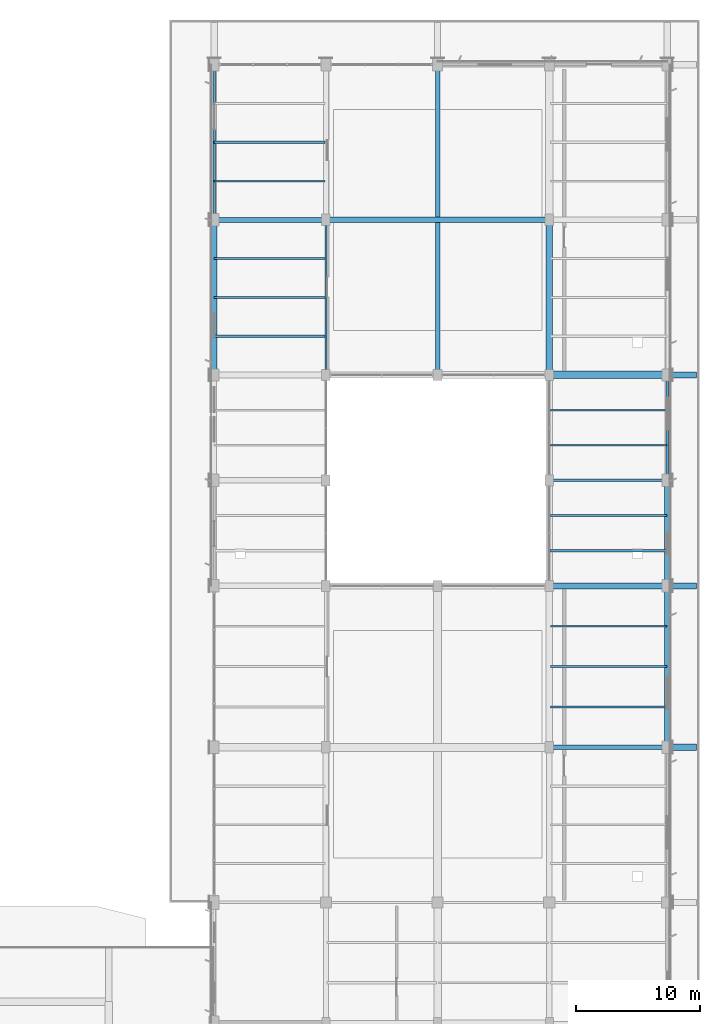
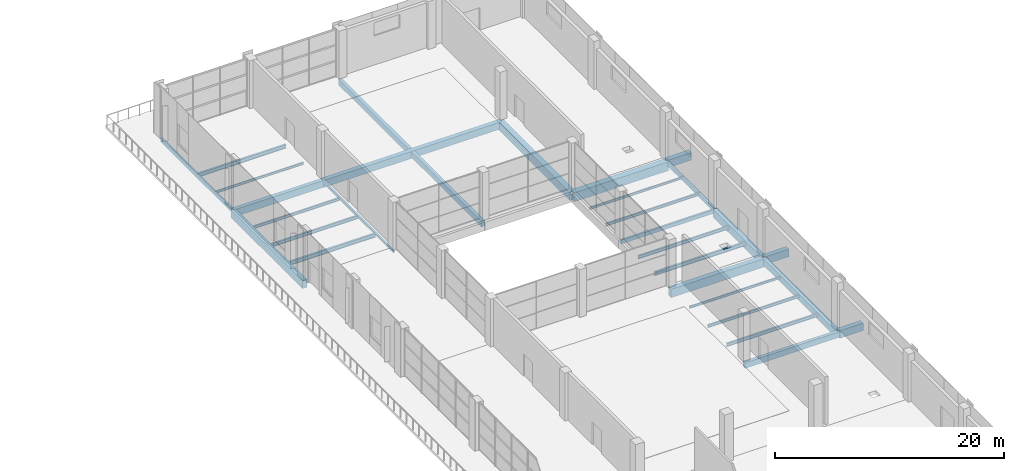
# One storey, part 55 of 90: 29 beams.
"""IFC4 building model written with IfcOpenShell, lengths in metres."""

from ifc_helpers import new_model, si_unit, direction, frame, origin, origin_2d, place, context, subcontext, project, spatial, rectangle, hollow_rectangle, i_section, extrude, material, material_profile, profile_set, type_object, element, save


model = new_model("IFC4")

# Units and contexts
model_context = context("Model", 3, precision=1e-05, world=origin(), true_north=direction((0.0, 1.0)))
body_context = subcontext(model_context, "Body", "Model", "MODEL_VIEW")
ifc_project = project(units=[si_unit("LENGTHUNIT", "METRE"), si_unit("AREAUNIT", "SQUARE_METRE"), si_unit("VOLUMEUNIT", "CUBIC_METRE"), si_unit("PLANEANGLEUNIT", "RADIAN"), si_unit("MASSUNIT", "GRAM", prefix="KILO")], contexts=[model_context])

# Site, building, storey
site_placement = place(None, origin())
site = spatial("IfcSite", under=ifc_project, at=site_placement, CompositionType="ELEMENT")
building_placement = place(site_placement, origin())
building = spatial("IfcBuilding", under=site, at=building_placement, Name="Solvikara Media Centre", CompositionType="ELEMENT")
storey_placement = place(building_placement, origin())
storey = spatial("IfcBuildingStorey", under=building, at=storey_placement, Name="L00", CompositionType="ELEMENT", Elevation=0.0)

# Beams
ifc_material_1 = material(Name="Concrete fc' 35 MPa (C35/45)", Category="concrete")
ifc_material_profile_1 = material_profile(ifc_material_1, rectangle(XDim=0.35009765625, YDim=0.60009765625, at=origin_2d()), Name="RC 350x600")
ifc_profile_set_1 = profile_set([ifc_material_profile_1], Name="Concrete fc' 35 MPa (C35/45)")
beam_type_1 = type_object("IfcBeamType", Name="BM-01", PredefinedType="BEAM", material=ifc_profile_set_1)
beam_1_placement = place(storey_placement, frame((154.5, 59.0, -0.679931640625), z_axis=(1.0, 0.0, 0.0), x_axis=(0.0, 1.0, 0.0)))
element("IfcBeam", 1, at=beam_1_placement, inside=storey, type_object=beam_type_1, Name="B-L00-X0073", PredefinedType="BEAM", context=body_context, shape_type="SweptSolid", body=[
    extrude(rectangle(XDim=0.35009765625, YDim=0.60009765625, at=origin_2d()), origin(), (0.0, 0.0, 1.0), 9.5),
])
beam_2_placement = place(storey_placement, frame((145.5, 89.0, -0.679931640625), z_axis=(0.0, 1.0, 0.0), x_axis=(-1.0, 0.0, 0.0)))
element("IfcBeam", 2, at=beam_2_placement, inside=storey, type_object=beam_type_1, Name="B-L00-Y0217", PredefinedType="BEAM", context=body_context, shape_type="SweptSolid", body=[
    extrude(rectangle(XDim=0.35009765625, YDim=0.60009765625, at=origin_2d()), origin(), (0.0, 0.0, 1.0), 25.0),
])
ifc_material_profile_2 = material_profile(ifc_material_1, rectangle(XDim=0.39990234375, YDim=0.75, at=origin_2d()), Name="RC 400x750")
ifc_profile_set_2 = profile_set([ifc_material_profile_2], Name="Concrete fc' 35 MPa (C35/45)")
beam_type_2 = type_object("IfcBeamType", Name="BM-04", PredefinedType="BEAM", material=ifc_profile_set_2)
beam_3_placement = place(storey_placement, frame((127.5, 101.5, -0.7548828125), z_axis=(1.0, 0.0, 0.0), x_axis=(0.0, 1.0, 0.0)))
element("IfcBeam", 3, at=beam_3_placement, inside=storey, type_object=beam_type_2, Name="B-L00-X0100", PredefinedType="BEAM", context=body_context, shape_type="SweptSolid", body=[
    extrude(rectangle(XDim=0.39990234375, YDim=0.75, at=origin_2d()), origin(), (0.0, 0.0, 1.0), 9.0),
])
ifc_material_profile_3 = material_profile(ifc_material_1, rectangle(XDim=0.449951171875, YDim=0.75, at=origin_2d()), Name="RC 450x750")
ifc_profile_set_3 = profile_set([ifc_material_profile_3], Name="Concrete fc' 35 MPa (C35/45)")
beam_type_3 = type_object("IfcBeamType", Name="BM-05", PredefinedType="BEAM", material=ifc_profile_set_3)
beam_4_placement = place(storey_placement, frame((136.5, 101.5, -0.7548828125), z_axis=(1.0, 0.0, 0.0), x_axis=(0.0, 1.0, 0.0)))
element("IfcBeam", 4, at=beam_4_placement, inside=storey, type_object=beam_type_3, Name="B-L00-X0101", PredefinedType="BEAM", context=body_context, shape_type="SweptSolid", body=[
    extrude(rectangle(XDim=0.449951171875, YDim=0.75, at=origin_2d()), origin(), (0.0, 0.0, 1.0), 18.0),
])
ifc_material_profile_4 = material_profile(ifc_material_1, rectangle(XDim=0.5, YDim=0.800048828125, at=origin_2d()), Name="RC 500x800")
ifc_profile_set_4 = profile_set([ifc_material_profile_4], Name="Concrete fc' 35 MPa (C35/45)")
beam_type_4 = type_object("IfcBeamType", Name="BM-07", PredefinedType="BEAM", material=ifc_profile_set_4)
for number, where, z_axis, x_axis, name in (
    (5, (164.0, 59.0, -0.64990234375), (1.0, 0.0, 0.0), (0.0, 1.0, 0.0), "B-L00-PRM-017"),
    (6, (164.0, 72.0, -0.64990234375), (1.0, 0.0, 0.0), (0.0, 1.0, 0.0), "B-L00-PRM-018"),
    (7, (164.0, 89.0, -0.64990234375), (1.0, 0.0, 0.0), (0.0, 1.0, 0.0), "B-L00-PRM-019"),
):
    element("IfcBeam", number, at=place(storey_placement, frame(where, z_axis=z_axis, x_axis=x_axis)), inside=storey, type_object=beam_type_4, Name=name, PredefinedType="BEAM", context=body_context, shape_type="SweptSolid", body=[
        extrude(rectangle(XDim=0.5, YDim=0.800048828125, at=origin_2d()), origin(), (0.0, 0.0, 1.0), 2.3798828125),
    ])
ifc_material_2 = material(Name="Concrete fc' 45 MPa (C45/55)", Category="concrete")
ifc_material_profile_5 = material_profile(ifc_material_2, rectangle(XDim=0.5, YDim=0.89990234375, at=origin_2d()), Name="RC 500x900")
ifc_profile_set_5 = profile_set([ifc_material_profile_5], Name="Concrete fc' 45 MPa (C45/55)")
beam_type_5 = type_object("IfcBeamType", Name="BM-09", PredefinedType="BEAM", material=ifc_profile_set_5)
beam_5_placement = place(storey_placement, frame((154.5, 72.0, -0.830078125), z_axis=(1.0, 0.0, 0.0), x_axis=(0.0, 1.0, 0.0)))
element("IfcBeam", 8, at=beam_5_placement, inside=storey, type_object=beam_type_5, Name="B-L00-X0081", PredefinedType="BEAM", context=body_context, shape_type="SweptSolid", body=[
    extrude(rectangle(XDim=0.5, YDim=0.89990234375, at=origin_2d()), origin(), (0.0, 0.0, 1.0), 9.5),
])
ifc_material_profile_6 = material_profile(ifc_material_2, rectangle(XDim=0.550048828125, YDim=0.89990234375, at=origin_2d()), Name="RC 550x900")
ifc_profile_set_6 = profile_set([ifc_material_profile_6], Name="Concrete fc' 45 MPa (C45/55)")
beam_type_6 = type_object("IfcBeamType", Name="BM-10", PredefinedType="BEAM", material=ifc_profile_set_6)
beam_6_placement = place(storey_placement, frame((154.5, 89.0, -0.830078125), z_axis=(0.0, 1.0, 0.0), x_axis=(-1.0, 0.0, 0.0)))
element("IfcBeam", 9, at=beam_6_placement, inside=storey, type_object=beam_type_6, Name="B-L00-Y0226", PredefinedType="BEAM", context=body_context, shape_type="SweptSolid", body=[
    extrude(rectangle(XDim=0.550048828125, YDim=0.89990234375, at=origin_2d()), origin(), (0.0, 0.0, 1.0), 12.5),
])
ifc_material_profile_7 = material_profile(ifc_material_2, rectangle(XDim=0.60009765625, YDim=0.949951171875, at=origin_2d()), Name="RC 600x950")
ifc_profile_set_7 = profile_set([ifc_material_profile_7], Name="Concrete fc' 45 MPa (C45/55)")
beam_type_7 = type_object("IfcBeamType", Name="BM-11", PredefinedType="BEAM", material=ifc_profile_set_7)
beam_7_placement = place(storey_placement, frame((154.5, 89.0, -0.85498046875), z_axis=(1.0, 0.0, 0.0), x_axis=(0.0, 1.0, 0.0)))
element("IfcBeam", 10, at=beam_7_placement, inside=storey, type_object=beam_type_7, Name="B-L00-X0095", PredefinedType="BEAM", context=body_context, shape_type="SweptSolid", body=[
    extrude(rectangle(XDim=0.60009765625, YDim=0.949951171875, at=origin_2d()), origin(), (0.0, 0.0, 1.0), 9.5),
])
ifc_material_profile_8 = material_profile(ifc_material_1, rectangle(XDim=0.39990234375, YDim=0.699951171875, at=origin_2d()), Name="RC 400x700")
ifc_profile_set_8 = profile_set([ifc_material_profile_8], Name="Concrete fc' 35 MPa (C35/45)")
beam_type_8 = type_object("IfcBeamType", Name="BM-13", PredefinedType="SPANDREL", material=ifc_profile_set_8)
beam_8_placement = place(storey_placement, frame((164.0, 59.0, -0.72998046875), z_axis=(0.0, 1.0, 0.0), x_axis=(-1.0, 0.0, 0.0)))
element("IfcBeam", 11, at=beam_8_placement, inside=storey, type_object=beam_type_8, Name="B-L00-Y0233", PredefinedType="SPANDREL", context=body_context, shape_type="SweptSolid", body=[
    extrude(rectangle(XDim=0.39990234375, YDim=0.699951171875, at=origin_2d()), origin(), (0.0, 0.0, 1.0), 13.0),
])
ifc_material_profile_9 = material_profile(ifc_material_1, rectangle(XDim=0.449951171875, YDim=0.85009765625, at=origin_2d()), Name="RC 450x850")
ifc_profile_set_9 = profile_set([ifc_material_profile_9], Name="Concrete fc' 35 MPa (C35/45)")
beam_type_9 = type_object("IfcBeamType", Name="BM-14", PredefinedType="SPANDREL", material=ifc_profile_set_9)
beam_9_placement = place(storey_placement, frame((127.5, 89.0, -0.804931640625), z_axis=(0.0, 1.0, 0.0), x_axis=(-1.0, 0.0, 0.0)))
element("IfcBeam", 12, at=beam_9_placement, inside=storey, type_object=beam_type_9, Name="B-L00-Y0200", PredefinedType="SPANDREL", context=body_context, shape_type="SweptSolid", body=[
    extrude(rectangle(XDim=0.449951171875, YDim=0.85009765625, at=origin_2d()), origin(), (0.0, 0.0, 1.0), 12.5),
])
beam_10_placement = place(storey_placement, frame((164.0, 72.0, -0.804931640625), z_axis=(0.0, 1.0, 0.0), x_axis=(-1.0, 0.0, 0.0)))
element("IfcBeam", 13, at=beam_10_placement, inside=storey, type_object=beam_type_9, Name="B-L00-Y0234", PredefinedType="SPANDREL", context=body_context, shape_type="SweptSolid", body=[
    extrude(rectangle(XDim=0.449951171875, YDim=0.85009765625, at=origin_2d()), origin(), (0.0, 0.0, 1.0), 8.5),
])
ifc_material_3 = material(Name="Steel S355JR", Category="steel")
ifc_material_profile_10 = material_profile(ifc_material_3, i_section(OverallWidth=0.199951171875, OverallDepth=0.39990234375, WebThickness=0.008056640625, FlangeThickness=0.012939453125, at=origin_2d()), Name="WF 400x200x8x13")
ifc_profile_set_10 = profile_set([ifc_material_profile_10], Name="Steel S355JR")
beam_type_10 = type_object("IfcBeamType", Name="BM-21", PredefinedType="JOIST", material=ifc_profile_set_10)
beam_11_placement = place(storey_placement, frame((127.5, 92.125, -0.58203125), z_axis=(1.0, 0.0, 0.0), x_axis=(0.0, 1.0, 0.0)))
element("IfcBeam", 14, at=beam_11_placement, inside=storey, type_object=beam_type_10, Name="J-L00-0393", PredefinedType="JOIST", context=body_context, shape_type="SweptSolid", body=[
    extrude(i_section(OverallWidth=0.199951171875, OverallDepth=0.39990234375, WebThickness=0.008056640625, FlangeThickness=0.012939453125, at=origin_2d()), origin(), (0.0, 0.0, 1.0), 8.922119140625),
])
ifc_material_profile_11 = material_profile(ifc_material_3, i_section(OverallWidth=0.175048828125, OverallDepth=0.35009765625, WebThickness=0.007080078125, FlangeThickness=0.010986328125, at=origin_2d()), Name="WF 350x175x7x11")
ifc_profile_set_11 = profile_set([ifc_material_profile_11], Name="Steel S355JR")
beam_type_11 = type_object("IfcBeamType", Name="BM-22", PredefinedType="JOIST", material=ifc_profile_set_11)
beam_12_placement = place(storey_placement, frame((127.5, 95.25, -0.556884765625), z_axis=(1.0, 0.0, 0.0), x_axis=(0.0, 1.0, 0.0)))
element("IfcBeam", 15, at=beam_12_placement, inside=storey, type_object=beam_type_11, Name="J-L00-0394", PredefinedType="JOIST", context=body_context, shape_type="SweptSolid", body=[
    extrude(i_section(OverallWidth=0.175048828125, OverallDepth=0.35009765625, WebThickness=0.007080078125, FlangeThickness=0.010986328125, at=origin_2d()), origin(), (0.0, 0.0, 1.0), 8.922119140625),
])
beam_13_placement = place(storey_placement, frame((154.577880859375, 62.25, -0.556884765625), z_axis=(1.0, 0.0, 0.0), x_axis=(0.0, 1.0, 0.0)))
element("IfcBeam", 16, at=beam_13_placement, inside=storey, type_object=beam_type_11, Name="J-L00-0426", PredefinedType="JOIST", context=body_context, shape_type="SweptSolid", body=[
    extrude(i_section(OverallWidth=0.175048828125, OverallDepth=0.35009765625, WebThickness=0.007080078125, FlangeThickness=0.010986328125, at=origin_2d()), origin(), (0.0, 0.0, 1.0), 9.422119140625),
])
ifc_material_profile_12 = material_profile(ifc_material_3, i_section(OverallWidth=0.14990234375, OverallDepth=0.300048828125, WebThickness=0.006591796875, FlangeThickness=0.009033203125, at=origin_2d()), Name="WF 300x150x6.5x9")
ifc_profile_set_12 = profile_set([ifc_material_profile_12], Name="Steel S355JR")
beam_type_12 = type_object("IfcBeamType", Name="BM-23", PredefinedType="JOIST", material=ifc_profile_set_12)
beam_14_placement = place(storey_placement, frame((127.5, 98.375, -0.531982421875), z_axis=(1.0, 0.0, 0.0), x_axis=(0.0, 1.0, 0.0)))
element("IfcBeam", 17, at=beam_14_placement, inside=storey, type_object=beam_type_12, Name="J-L00-0395", PredefinedType="JOIST", context=body_context, shape_type="SweptSolid", body=[
    extrude(i_section(OverallWidth=0.14990234375, OverallDepth=0.300048828125, WebThickness=0.006591796875, FlangeThickness=0.009033203125, at=origin_2d()), origin(), (0.0, 0.0, 1.0), 8.922119140625),
])
beam_15_placement = place(storey_placement, frame((154.577880859375, 65.5, -0.531982421875), z_axis=(1.0, 0.0, 0.0), x_axis=(0.0, 1.0, 0.0)))
element("IfcBeam", 18, at=beam_15_placement, inside=storey, type_object=beam_type_12, Name="J-L00-0427", PredefinedType="JOIST", context=body_context, shape_type="SweptSolid", body=[
    extrude(i_section(OverallWidth=0.14990234375, OverallDepth=0.300048828125, WebThickness=0.006591796875, FlangeThickness=0.009033203125, at=origin_2d()), origin(), (0.0, 0.0, 1.0), 9.422119140625),
])
ifc_material_profile_13 = material_profile(ifc_material_3, i_section(OverallWidth=0.125, OverallDepth=0.25, WebThickness=0.006103515625, FlangeThickness=0.009033203125, at=origin_2d()), Name="WF 250x125x6x9")
ifc_profile_set_13 = profile_set([ifc_material_profile_13], Name="Steel S355JR")
beam_type_13 = type_object("IfcBeamType", Name="BM-24", PredefinedType="JOIST", material=ifc_profile_set_13)
beam_16_placement = place(storey_placement, frame((127.5, 104.625, -0.507080078125), z_axis=(1.0, 0.0, 0.0), x_axis=(0.0, 1.0, 0.0)))
element("IfcBeam", 19, at=beam_16_placement, inside=storey, type_object=beam_type_13, Name="J-L00-0396", PredefinedType="JOIST", context=body_context, shape_type="SweptSolid", body=[
    extrude(i_section(OverallWidth=0.125, OverallDepth=0.25, WebThickness=0.006103515625, FlangeThickness=0.009033203125, at=origin_2d()), origin(), (0.0, 0.0, 1.0), 8.922119140625),
])
beam_17_placement = place(storey_placement, frame((154.577880859375, 68.75, -0.507080078125), z_axis=(1.0, 0.0, 0.0), x_axis=(0.0, 1.0, 0.0)))
element("IfcBeam", 20, at=beam_17_placement, inside=storey, type_object=beam_type_13, Name="J-L00-0428", PredefinedType="JOIST", context=body_context, shape_type="SweptSolid", body=[
    extrude(i_section(OverallWidth=0.125, OverallDepth=0.25, WebThickness=0.006103515625, FlangeThickness=0.009033203125, at=origin_2d()), origin(), (0.0, 0.0, 1.0), 9.422119140625),
])
ifc_material_profile_14 = material_profile(ifc_material_3, hollow_rectangle(XDim=0.199951171875, YDim=0.39990234375, WallThickness=0.011962890625, at=origin_2d()), Name="RHS 400x200x12")
ifc_profile_set_14 = profile_set([ifc_material_profile_14], Name="Steel S355JR")
beam_type_14 = type_object("IfcBeamType", Name="BM-33", PredefinedType="SPANDREL", material=ifc_profile_set_14)
beam_18_placement = place(storey_placement, frame((154.5, 80.5, -0.58203125), z_axis=(1.0, 0.0, 0.0), x_axis=(0.0, 1.0, 0.0)))
element("IfcBeam", 21, at=beam_18_placement, inside=storey, type_object=beam_type_14, Name="B-L00-X0087", PredefinedType="SPANDREL", context=body_context, shape_type="SweptSolid", body=[
    extrude(hollow_rectangle(XDim=0.199951171875, YDim=0.39990234375, WallThickness=0.011962890625, at=origin_2d()), origin(), (0.0, 0.0, 1.0), 9.5),
])
beam_19_placement = place(storey_placement, frame((127.5, 101.5, -0.58203125), z_axis=(0.0, 1.0, 0.0), x_axis=(-1.0, 0.0, 0.0)))
element("IfcBeam", 22, at=beam_19_placement, inside=storey, type_object=beam_type_14, Name="B-L00-Y0201", PredefinedType="SPANDREL", context=body_context, shape_type="SweptSolid", body=[
    extrude(hollow_rectangle(XDim=0.199951171875, YDim=0.39990234375, WallThickness=0.011962890625, at=origin_2d()), origin(), (0.0, 0.0, 1.0), 12.5),
])
beam_20_placement = place(storey_placement, frame((164.0, 80.5, -0.58203125), z_axis=(0.0, 1.0, 0.0), x_axis=(-1.0, 0.0, 0.0)))
element("IfcBeam", 23, at=beam_20_placement, inside=storey, type_object=beam_type_14, Name="B-L00-Y0235", PredefinedType="SPANDREL", context=body_context, shape_type="SweptSolid", body=[
    extrude(hollow_rectangle(XDim=0.199951171875, YDim=0.39990234375, WallThickness=0.011962890625, at=origin_2d()), origin(), (0.0, 0.0, 1.0), 8.5),
])
ifc_material_profile_15 = material_profile(ifc_material_3, hollow_rectangle(XDim=0.14990234375, YDim=0.25, WallThickness=0.008056640625, at=origin_2d()), Name="RHS 250x150x8")
ifc_profile_set_15 = profile_set([ifc_material_profile_15], Name="Steel S355JR")
beam_type_15 = type_object("IfcBeamType", Name="BM-36", PredefinedType="JOIST", material=ifc_profile_set_15)
beam_21_placement = place(storey_placement, frame((136.5, 89.0, -0.507080078125), z_axis=(0.0, 1.0, 0.0), x_axis=(-1.0, 0.0, 0.0)))
element("IfcBeam", 24, at=beam_21_placement, inside=storey, type_object=beam_type_15, Name="B-L00-Y0210", PredefinedType="JOIST", context=body_context, shape_type="SweptSolid", body=[
    extrude(hollow_rectangle(XDim=0.14990234375, YDim=0.25, WallThickness=0.008056640625, at=origin_2d()), origin(), (0.0, 0.0, 1.0), 12.5),
])
ifc_material_profile_16 = material_profile(ifc_material_3, i_section(OverallWidth=0.198974609375, OverallDepth=0.39599609375, WebThickness=0.007080078125, FlangeThickness=0.010986328125, at=origin_2d()), Name="WF 396x199x7x11")
ifc_profile_set_16 = profile_set([ifc_material_profile_16], Name="Steel S355JR")
beam_type_16 = type_object("IfcBeamType", Name="BM-37", PredefinedType="JOIST", material=ifc_profile_set_16)
beam_22_placement = place(storey_placement, frame((127.5, 107.75, -0.580078125), z_axis=(1.0, 0.0, 0.0), x_axis=(0.0, 1.0, 0.0)))
element("IfcBeam", 25, at=beam_22_placement, inside=storey, type_object=beam_type_16, Name="J-L00-0397", PredefinedType="JOIST", context=body_context, shape_type="SweptSolid", body=[
    extrude(i_section(OverallWidth=0.198974609375, OverallDepth=0.39599609375, WebThickness=0.007080078125, FlangeThickness=0.010986328125, at=origin_2d()), origin(), (0.0, 0.0, 1.0), 8.922119140625),
])
beam_23_placement = place(storey_placement, frame((154.577880859375, 74.8330078125, -0.580078125), z_axis=(1.0, 0.0, 0.0), x_axis=(0.0, 1.0, 0.0)))
element("IfcBeam", 26, at=beam_23_placement, inside=storey, type_object=beam_type_16, Name="J-L00-0429", PredefinedType="JOIST", context=body_context, shape_type="SweptSolid", body=[
    extrude(i_section(OverallWidth=0.198974609375, OverallDepth=0.39599609375, WebThickness=0.007080078125, FlangeThickness=0.010986328125, at=origin_2d()), origin(), (0.0, 0.0, 1.0), 9.422119140625),
])
ifc_material_profile_17 = material_profile(ifc_material_3, i_section(OverallWidth=0.174072265625, OverallDepth=0.345947265625, WebThickness=0.006103515625, FlangeThickness=0.009033203125, at=origin_2d()), Name="WF 346x174x6x9")
ifc_profile_set_17 = profile_set([ifc_material_profile_17], Name="Steel S355JR")
beam_type_17 = type_object("IfcBeamType", Name="BM-38", PredefinedType="JOIST", material=ifc_profile_set_17)
beam_24_placement = place(storey_placement, frame((154.577880859375, 77.6669921875, -0.554931640625), z_axis=(1.0, 0.0, 0.0), x_axis=(0.0, 1.0, 0.0)))
element("IfcBeam", 27, at=beam_24_placement, inside=storey, type_object=beam_type_17, Name="J-L00-0430", PredefinedType="JOIST", context=body_context, shape_type="SweptSolid", body=[
    extrude(i_section(OverallWidth=0.174072265625, OverallDepth=0.345947265625, WebThickness=0.006103515625, FlangeThickness=0.009033203125, at=origin_2d()), origin(), (0.0, 0.0, 1.0), 9.422119140625),
])
ifc_material_profile_18 = material_profile(ifc_material_3, i_section(OverallWidth=0.14892578125, OverallDepth=0.298095703125, WebThickness=0.005615234375, FlangeThickness=0.008056640625, at=origin_2d()), Name="WF 298x149x5.5x8")
ifc_profile_set_18 = profile_set([ifc_material_profile_18], Name="Steel S355JR")
beam_type_18 = type_object("IfcBeamType", Name="BM-39", PredefinedType="JOIST", material=ifc_profile_set_18)
beam_25_placement = place(storey_placement, frame((154.577880859375, 83.3330078125, -0.531005859375), z_axis=(1.0, 0.0, 0.0), x_axis=(0.0, 1.0, 0.0)))
element("IfcBeam", 28, at=beam_25_placement, inside=storey, type_object=beam_type_18, Name="J-L00-0431", PredefinedType="JOIST", context=body_context, shape_type="SweptSolid", body=[
    extrude(i_section(OverallWidth=0.14892578125, OverallDepth=0.298095703125, WebThickness=0.005615234375, FlangeThickness=0.008056640625, at=origin_2d()), origin(), (0.0, 0.0, 1.0), 9.422119140625),
])
ifc_material_profile_19 = material_profile(ifc_material_3, i_section(OverallWidth=0.1240234375, OverallDepth=0.248046875, WebThickness=0.0048828125, FlangeThickness=0.008056640625, at=origin_2d()), Name="WF 248x124x5x8")
ifc_profile_set_19 = profile_set([ifc_material_profile_19], Name="Steel S355JR")
beam_type_19 = type_object("IfcBeamType", Name="BM-40", PredefinedType="JOIST", material=ifc_profile_set_19)
beam_26_placement = place(storey_placement, frame((154.577880859375, 86.1669921875, -0.506103515625), z_axis=(1.0, 0.0, 0.0), x_axis=(0.0, 1.0, 0.0)))
element("IfcBeam", 29, at=beam_26_placement, inside=storey, type_object=beam_type_19, Name="J-L00-0432", PredefinedType="JOIST", context=body_context, shape_type="SweptSolid", body=[
    extrude(i_section(OverallWidth=0.1240234375, OverallDepth=0.248046875, WebThickness=0.0048828125, FlangeThickness=0.008056640625, at=origin_2d()), origin(), (0.0, 0.0, 1.0), 9.422119140625),
])

save(model, "model.ifc")
